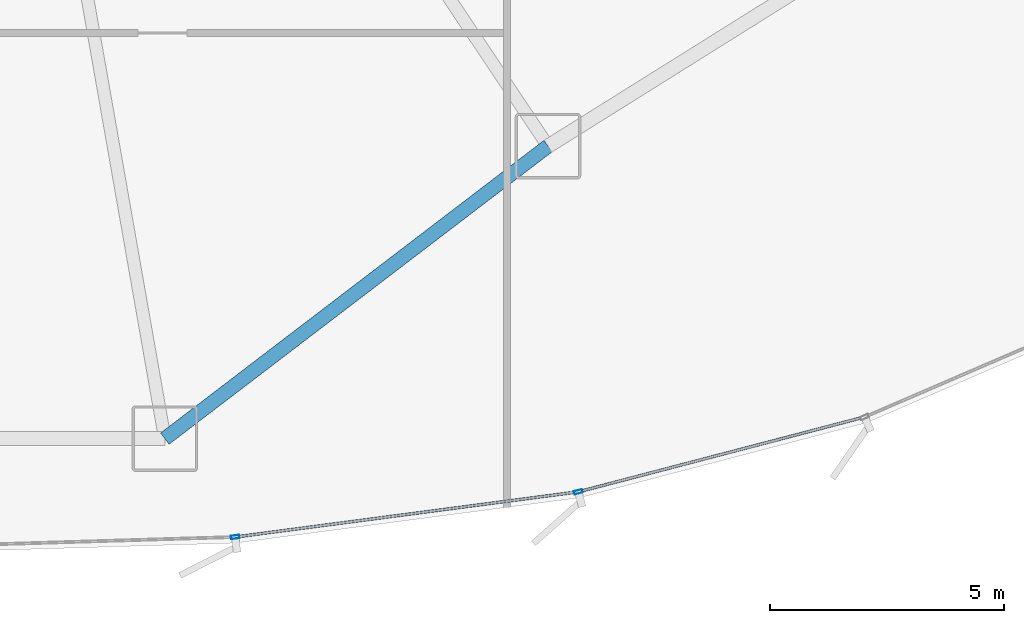
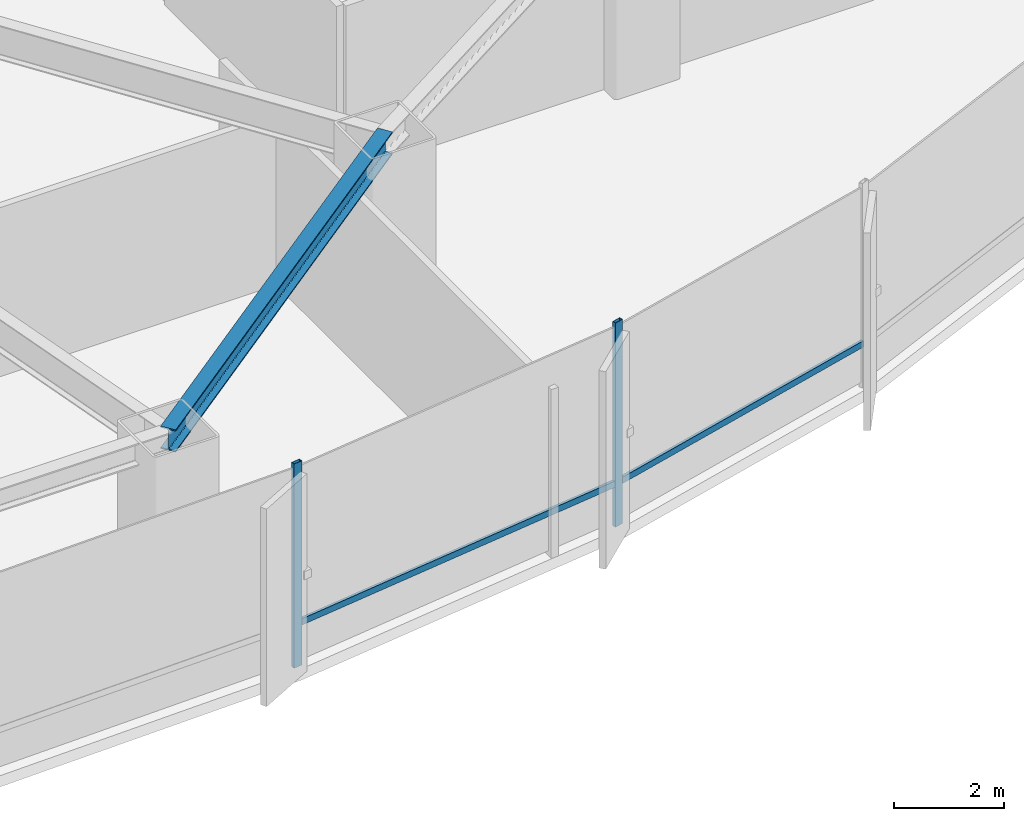
# One storey, part 8 of 34: 4 members, 1 beam, 1 element without a shape of its own.
"""IFC4 building model written with IfcOpenShell, lengths in metres."""

from ifc_helpers import new_model, si_unit, direction, frame, origin, origin_2d, place, context, subcontext, project, spatial, hollow_rectangle, i_section, extrude, source, transform, mapped, material, layer, layer_set, material_profile, profile_set, type_object, element, aggregate, save


model = new_model("IFC4")

# Units and contexts
model_context = context("Model", 3, precision=1e-05, world=origin(), true_north=direction((0.0, 1.0)))
body_context = subcontext(model_context, "Body", "Model", "MODEL_VIEW")
ifc_project = project(units=[si_unit("LENGTHUNIT", "METRE"), si_unit("AREAUNIT", "SQUARE_METRE"), si_unit("VOLUMEUNIT", "CUBIC_METRE"), si_unit("PLANEANGLEUNIT", "RADIAN"), si_unit("MASSUNIT", "GRAM", prefix="KILO"), si_unit("THERMODYNAMICTEMPERATUREUNIT", "KELVIN")], contexts=[model_context])

# Site, building, storey
site_placement = place(None, origin())
site = spatial("IfcSite", under=ifc_project, at=site_placement, CompositionType="ELEMENT")
building_placement = place(site_placement, origin())
building = spatial("IfcBuilding", under=site, at=building_placement, Name="Kethvar Cultural Tower", CompositionType="ELEMENT")
storey_placement = place(building_placement, frame((0.0, 0.0, 5.199951171875)))
storey = spatial("IfcBuildingStorey", under=building, at=storey_placement, Name="L01", CompositionType="ELEMENT", Elevation=5.199951171875)

# Beam
ifc_material_1 = material(Name="Steel S355J2", Category="steel")
ifc_material_profile_1 = material_profile(ifc_material_1, i_section(OverallWidth=0.300048828125, OverallDepth=0.5, WebThickness=0.014404296875, FlangeThickness=0.028076171875, FilletRadius=0.027099609375, at=origin_2d()), Name="Steel S355J2 — HEB500")
ifc_profile_set_1 = profile_set([ifc_material_profile_1], Name="Steel S355J2 — HEB500")
beam_type = type_object("IfcBeamType", Name="BM-SP500", PredefinedType="SPANDREL", material=ifc_profile_set_1)
shared_shape_1 = source(origin(), body_context, "Body", "SweptSolid", [
    extrude(i_section(OverallWidth=0.300048828125, OverallDepth=0.5, WebThickness=0.014404296875, FlangeThickness=0.028076171875, FilletRadius=0.027099609375, at=origin_2d()), origin(), (0.0, 0.0, 1.0), 10.279052734375),
])
beam_placement = place(storey_placement, frame((51.199951171875, 2.75, 4.298095703125), z_axis=(0.794869246576, 0.606780751876, 0.0), x_axis=(-0.606780751876, 0.794869246576, 0.0)))
element("IfcBeam", 1, at=beam_placement, inside=storey, type_object=beam_type, Name="L01 Podium Ring Beam 13", PredefinedType="SPANDREL", context=body_context, shape_type="MappedRepresentation", body=[
    mapped(shared_shape_1, transform((0.0, 0.0, 0.0), scale=1.0)),
])

# Curtain wall, members
ifc_material_2 = material(Name="Aluminium 6063-T6", Category="aluminium")
ifc_layer = layer(ifc_material_2, 0.179931640625, Name="Aluminium 6063-T6", Category="aluminium")
ifc_layer_set = layer_set([ifc_layer], Name="Aluminium 6063-T6 (180 mm)")
curtain_wall_type = type_object("IfcCurtainWallType", Name="CW-SYS-01-POD", PredefinedType="NOTDEFINED", material=ifc_layer_set)
curtain_wall_placement = place(storey_placement, origin())
curtain_wall = element("IfcCurtainWall", 2, at=curtain_wall_placement, inside=storey, type_object=curtain_wall_type, Name="L01 Curtain Wall Run 05", PredefinedType="NOTDEFINED")
ifc_material_profile_2 = material_profile(ifc_material_2, hollow_rectangle(XDim=0.06005859375, YDim=0.139892578125, WallThickness=0.0048828125, at=origin_2d()), Name="Aluminium 6063-T6 — RHS140x60x5")
ifc_profile_set_2 = profile_set([ifc_material_profile_2], Name="Aluminium 6063-T6 — RHS140x60x5")
member_type_1 = type_object("IfcMemberType", Name="CW-SYS-01-POD-TRN", PredefinedType="USERDEFINED", material=ifc_profile_set_2)
shared_shape_2 = source(origin(), body_context, "Body", "SweptSolid", [
    extrude(hollow_rectangle(XDim=0.06005859375, YDim=0.139892578125, WallThickness=0.0048828125, at=origin_2d()), origin(), (0.0, 0.0, 1.0), 7.28955078125),
])
member_1_placement = place(storey_placement, frame((52.75244140625, 0.658935546875, 0.949951171875), z_axis=(0.991428284846, 0.130652041726, 0.0), x_axis=(-0.130652041726, 0.991428284846, 0.0)))
member_1 = element("IfcMember", 3, at=member_1_placement, type_object=member_type_1, Name="CW-L01-R05 Transom 3", ObjectType="TRANSOM", PredefinedType="USERDEFINED", context=body_context, shape_type="MappedRepresentation", body=[
    mapped(shared_shape_2, transform((0.0, 0.0, 0.0), scale=1.0)),
])
shared_shape_3 = source(origin(), body_context, "Body", "SweptSolid", [
    extrude(hollow_rectangle(XDim=0.06005859375, YDim=0.139892578125, WallThickness=0.0048828125, at=origin_2d()), origin(), (0.0, 0.0, 1.0), 6.221435546875),
])
member_2_placement = place(storey_placement, frame((60.069091796875, 1.62890625, 0.949951171875), z_axis=(0.967458727109, 0.253028874519, 0.0), x_axis=(-0.253028874519, 0.967458727109, 0.0)))
member_2 = element("IfcMember", 4, at=member_2_placement, type_object=member_type_1, Name="CW-L01-R05 Transom 4", ObjectType="TRANSOM", PredefinedType="USERDEFINED", context=body_context, shape_type="MappedRepresentation", body=[
    mapped(shared_shape_3, transform((0.0, 0.0, 0.0), scale=1.0)),
])
ifc_material_profile_3 = material_profile(ifc_material_2, hollow_rectangle(XDim=0.074951171875, YDim=0.179931640625, WallThickness=0.006103515625, at=origin_2d()), Name="Aluminium 6063-T6 — RHS180x75x6")
ifc_profile_set_3 = profile_set([ifc_material_profile_3], Name="Aluminium 6063-T6 — RHS180x75x6")
member_type_2 = type_object("IfcMemberType", Name="CW-SYS-01-POD-MUL", PredefinedType="MULLION", material=ifc_profile_set_3)
shared_shape_4 = source(origin(), body_context, "Body", "SweptSolid", [
    extrude(hollow_rectangle(XDim=0.074951171875, YDim=0.179931640625, WallThickness=0.006103515625, at=origin_2d()), origin(), (0.0, 0.0, 1.0), 4.550048828125),
])
member_3_placement = place(storey_placement, frame((52.698974609375, 0.652099609375, 0.0), z_axis=(0.0, 0.0, 1.0), x_axis=(-0.130647319086, 0.991428907192, 0.0)))
member_3 = element("IfcMember", 5, at=member_3_placement, type_object=member_type_2, Name="CW-L01-R05 Mullion 3", PredefinedType="MULLION", context=body_context, shape_type="MappedRepresentation", body=[
    mapped(shared_shape_4, transform((0.0, 0.0, 0.0), scale=1.0)),
])
member_4_placement = place(storey_placement, frame((60.01708984375, 1.615234375, 0.0), z_axis=(0.0, 0.0, 1.0), x_axis=(-0.253031946887, 0.967457923558, 0.0)))
member_4 = element("IfcMember", 6, at=member_4_placement, type_object=member_type_2, Name="CW-L01-R05 Mullion 4", PredefinedType="MULLION", context=body_context, shape_type="MappedRepresentation", body=[
    mapped(shared_shape_4, transform((0.0, 0.0, 0.0), scale=1.0)),
])
aggregate(curtain_wall, [member_3, member_4, member_1, member_2])

save(model, "model.ifc")
